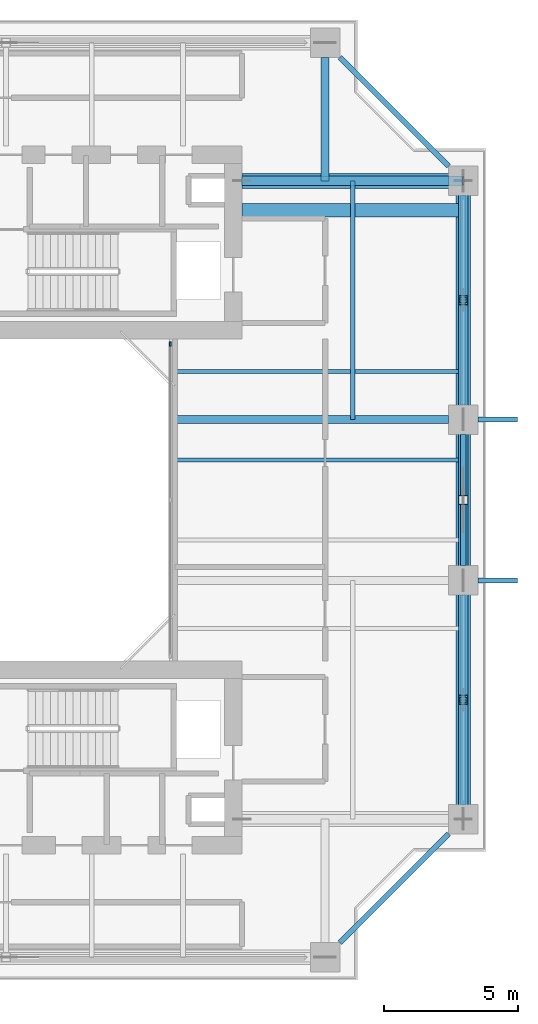
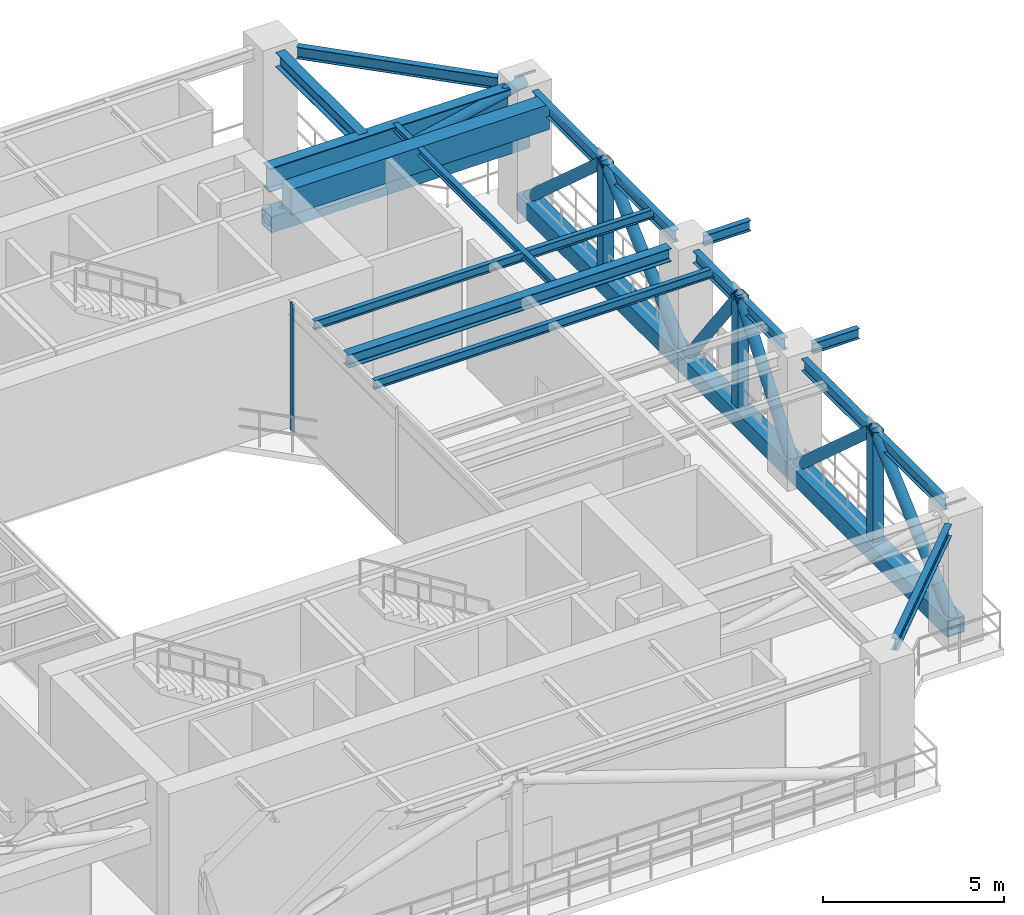
# One storey, part 4 of 11: 15 members, 14 beams, 1 element without a shape of its own.
"""IFC4 building model written with IfcOpenShell, lengths in metres."""

from ifc_helpers import new_model, si_unit, direction, frame, origin, origin_2d, place, context, subcontext, project, spatial, rectangle, hollow_rectangle, hollow_circle, i_section, extrude, source, transform, mapped, material, layer, layer_set, material_profile, profile_set, type_object, element, aggregate, save


model = new_model("IFC4")

# Units and contexts
model_context = context("Model", 3, precision=1e-05, world=origin(), true_north=direction((0.0, 1.0)))
body_context = subcontext(model_context, "Body", "Model", "MODEL_VIEW")
ifc_project = project(units=[si_unit("LENGTHUNIT", "METRE"), si_unit("AREAUNIT", "SQUARE_METRE"), si_unit("VOLUMEUNIT", "CUBIC_METRE"), si_unit("PLANEANGLEUNIT", "RADIAN"), si_unit("MASSUNIT", "GRAM", prefix="KILO"), si_unit("THERMODYNAMICTEMPERATUREUNIT", "KELVIN"), si_unit("POWERUNIT", "WATT")], contexts=[model_context])

# Site, building, storey
site_placement = place(None, origin())
site = spatial("IfcSite", under=ifc_project, at=site_placement, CompositionType="ELEMENT")
building_placement = place(site_placement, origin())
building = spatial("IfcBuilding", under=site, at=building_placement, Name="Qiaomeng Ring Towers", CompositionType="ELEMENT")
storey_placement = place(building_placement, frame((0.0, 0.0, 139.25)))
storey = spatial("IfcBuildingStorey", under=building, at=storey_placement, Name="L40", CompositionType="ELEMENT", Elevation=139.25)

# Members
ifc_material_1 = material(Name="Steel Q390GJC", Category="steel")
ifc_material_profile_1 = material_profile(ifc_material_1, hollow_rectangle(XDim=0.35009765625, YDim=0.35009765625, WallThickness=0.02001953125, at=origin_2d()), Name="SHS 350x350x20")
ifc_profile_set_1 = profile_set([ifc_material_profile_1], Name="Steel Q390GJC")
member_type_1 = type_object("IfcMemberType", Name="STR-MB-POST-350", PredefinedType="POST", material=ifc_profile_set_1)
shared_shape_1 = source(origin(), body_context, "Body", "SweptSolid", [
    extrude(hollow_rectangle(XDim=0.35009765625, YDim=0.35009765625, WallThickness=0.02001953125, at=origin_2d()), origin(), (0.0, 0.0, 1.0), 4.0),
])
for number, where, z_axis, x_axis, name in (
    (1, (36.050048828125, 15.550048828125, 0.320068359375), (0.0, 0.0, 1.0), (1.0, 0.0, 0.0), "L40 Belt Truss Post E1-E2"),
    (2, (36.050048828125, 23.0, 0.320068359375), (0.0, 0.0, 1.0), (1.0, 0.0, 0.0), "L40 Belt Truss Post E2-E3"),
    (3, (36.050048828125, 30.449951171875, 0.320068359375), (0.0, 0.0, 1.0), (1.0, 0.0, 0.0), "L40 Belt Truss Post E3-E4"),
):
    element("IfcMember", number, at=place(storey_placement, frame(where, z_axis=z_axis, x_axis=x_axis)), inside=storey, type_object=member_type_1, Name=name, PredefinedType="POST", context=body_context, shape_type="MappedRepresentation", body=[
        mapped(shared_shape_1, transform((0.0, 0.0, 0.0), x_axis=(1.0, 0.0, 0.0), y_axis=(0.0, 1.0, 0.0), z_axis=(0.0, 0.0, 1.0), scale=1.0)),
    ])
ifc_material_profile_2 = material_profile(ifc_material_1, hollow_rectangle(XDim=0.550048828125, YDim=0.550048828125, WallThickness=0.031982421875, at=origin_2d()), Name="SHS 550x550x32")
ifc_profile_set_2 = profile_set([ifc_material_profile_2], Name="Steel Q390GJC")
member_type_2 = type_object("IfcMemberType", Name="STR-MB-CHORD-550", PredefinedType="CHORD", material=ifc_profile_set_2)
shared_shape_2 = source(origin(), body_context, "Body", "SweptSolid", [
    extrude(hollow_rectangle(XDim=0.550048828125, YDim=0.550048828125, WallThickness=0.031982421875, at=origin_2d()), origin(), (0.0, 0.0, 1.0), 6.0),
])
member_1_placement = place(storey_placement, frame((36.050048828125, 20.0, 0.320068359375), z_axis=(0.0, 1.0, 0.0), x_axis=(-1.0, 0.0, 0.0)))
element("IfcMember", 4, at=member_1_placement, inside=storey, type_object=member_type_2, Name="L40 Belt Truss Bottom Chord E2-E3", PredefinedType="CHORD", context=body_context, shape_type="MappedRepresentation", body=[
    mapped(shared_shape_2, transform((0.0, 0.0, 0.0), x_axis=(1.0, 0.0, 0.0), y_axis=(0.0, 1.0, 0.0), z_axis=(0.0, 0.0, 1.0), scale=1.0)),
])

# Beams
ifc_material_2 = material(Name="Steel Q355B", Category="steel")
ifc_material_profile_3 = material_profile(ifc_material_2, i_section(OverallWidth=0.175048828125, OverallDepth=0.35009765625, WebThickness=0.007080078125, FlangeThickness=0.010986328125, FilletRadius=0.013916015625, at=origin_2d()), Name="HN 350x175x7x11")
ifc_profile_set_3 = profile_set([ifc_material_profile_3], Name="Steel Q355B")
beam_type_1 = type_object("IfcBeamType", Name="STR-BM-HN350", PredefinedType="JOIST", material=ifc_profile_set_3)
shared_shape_3 = source(origin(), body_context, "Body", "SweptSolid", [
    extrude(i_section(OverallWidth=0.175048828125, OverallDepth=0.35009765625, WebThickness=0.007080078125, FlangeThickness=0.010986328125, FilletRadius=0.013916015625, at=origin_2d()), origin(), (0.0, 0.0, 1.0), 1.48095703125),
])
for number, where, z_axis, x_axis, name in (
    (5, (36.59912109375, 20.0, 4.14501953125), (1.0, 0.0, 0.0), (0.0, 1.0, 0.0), "L40 beam STR-BALBM-L40-E2"),
    (6, (36.59912109375, 26.0, 4.14501953125), (1.0, 0.0, 0.0), (0.0, 1.0, 0.0), "L40 beam STR-BALBM-L40-E3"),
):
    element("IfcBeam", number, at=place(storey_placement, frame(where, z_axis=z_axis, x_axis=x_axis)), inside=storey, type_object=beam_type_1, Name=name, PredefinedType="JOIST", context=body_context, shape_type="MappedRepresentation", body=[
        mapped(shared_shape_3, transform((0.0, 0.0, 0.0), x_axis=(1.0, 0.0, 0.0), y_axis=(0.0, 1.0, 0.0), z_axis=(0.0, 0.0, 1.0), scale=1.0)),
    ])
ifc_material_profile_4 = material_profile(ifc_material_2, i_section(OverallWidth=0.199951171875, OverallDepth=0.39990234375, WebThickness=0.008056640625, FlangeThickness=0.012939453125, FilletRadius=0.01611328125, at=origin_2d()), Name="HN 400x200x8x13")
ifc_profile_set_4 = profile_set([ifc_material_profile_4], Name="Steel Q355B")
beam_type_2 = type_object("IfcBeamType", Name="STR-BM-HN400", PredefinedType="SPANDREL", material=ifc_profile_set_4)
shared_shape_4 = source(origin(), body_context, "Body", "SweptSolid", [
    extrude(i_section(OverallWidth=0.199951171875, OverallDepth=0.39990234375, WebThickness=0.008056640625, FlangeThickness=0.012939453125, FilletRadius=0.01611328125, at=origin_2d()), origin(), (0.0, 0.0, 1.0), 5.729736328125),
])
for number, where, z_axis, x_axis, name in (
    (7, (31.44921875, 6.499267578125, 4.1201171875), (0.707106781187, 0.707106781187, 0.0), (-0.707106781187, 0.707106781187, 0.0), "L40 beam STR-SP-L40-T1-S2-E1"),
    (8, (35.500732421875, 35.44921875, 4.1201171875), (-0.707106781187, 0.707106781187, 0.0), (-0.707106781187, -0.707106781187, 0.0), "L40 beam STR-SP-L40-T1-E4-N2"),
):
    element("IfcBeam", number, at=place(storey_placement, frame(where, z_axis=z_axis, x_axis=x_axis)), inside=storey, type_object=beam_type_2, Name=name, PredefinedType="SPANDREL", context=body_context, shape_type="MappedRepresentation", body=[
        mapped(shared_shape_4, transform((0.0, 0.0, 0.0), x_axis=(1.0, 0.0, 0.0), y_axis=(0.0, 1.0, 0.0), z_axis=(0.0, 0.0, 1.0), scale=1.0)),
    ])
shared_shape_5 = source(origin(), body_context, "Body", "SweptSolid", [
    extrude(i_section(OverallWidth=0.199951171875, OverallDepth=0.39990234375, WebThickness=0.008056640625, FlangeThickness=0.012939453125, FilletRadius=0.01611328125, at=origin_2d()), origin(), (0.0, 0.0, 1.0), 7.802001953125),
])
for number, where, z_axis, x_axis, name in (
    (9, (36.050048828125, 11.64892578125, 4.1201171875), (0.0, 1.0, 0.0), (-1.0, 0.0, 0.0), "L40 beam STR-SP-L40-T1-E1-E2"),
    (10, (36.050048828125, 26.549072265625, 4.1201171875), (0.0, 1.0, 0.0), (-1.0, 0.0, 0.0), "L40 beam STR-SP-L40-T1-E3-E4"),
):
    element("IfcBeam", number, at=place(storey_placement, frame(where, z_axis=z_axis, x_axis=x_axis)), inside=storey, type_object=beam_type_2, Name=name, PredefinedType="SPANDREL", context=body_context, shape_type="MappedRepresentation", body=[
        mapped(shared_shape_5, transform((0.0, 0.0, 0.0), x_axis=(1.0, 0.0, 0.0), y_axis=(0.0, 1.0, 0.0), z_axis=(0.0, 0.0, 1.0), scale=1.0)),
    ])
shared_shape_6 = source(origin(), body_context, "Body", "SweptSolid", [
    extrude(i_section(OverallWidth=0.199951171875, OverallDepth=0.39990234375, WebThickness=0.008056640625, FlangeThickness=0.012939453125, FilletRadius=0.01611328125, at=origin_2d()), origin(), (0.0, 0.0, 1.0), 4.90185546875),
])
beam_1_placement = place(storey_placement, frame((36.050048828125, 20.549072265625, 4.1201171875), z_axis=(0.0, 1.0, 0.0), x_axis=(-1.0, 0.0, 0.0)))
element("IfcBeam", 11, at=beam_1_placement, inside=storey, type_object=beam_type_2, Name="L40 beam STR-SP-L40-T1-E2-E3", PredefinedType="SPANDREL", context=body_context, shape_type="MappedRepresentation", body=[
    mapped(shared_shape_6, transform((0.0, 0.0, 0.0), x_axis=(1.0, 0.0, 0.0), y_axis=(0.0, 1.0, 0.0), z_axis=(0.0, 0.0, 1.0), scale=1.0)),
])
ifc_material_profile_5 = material_profile(ifc_material_1, i_section(OverallWidth=0.35009765625, OverallDepth=0.800048828125, WebThickness=0.01611328125, FlangeThickness=0.028076171875, at=origin_2d()), Name="WH 800x350x16x28")
ifc_profile_set_5 = profile_set([ifc_material_profile_5], Name="Steel Q390GJC")
beam_type_3 = type_object("IfcBeamType", Name="STR-BM-WH800", PredefinedType="BEAM", material=ifc_profile_set_5)
shared_shape_7 = source(origin(), body_context, "Body", "SweptSolid", [
    extrude(i_section(OverallWidth=0.35009765625, OverallDepth=0.800048828125, WebThickness=0.01611328125, FlangeThickness=0.028076171875, at=origin_2d()), origin(), (0.0, 0.0, 1.0), 7.700927734375),
])
beam_2_placement = place(storey_placement, frame((27.800048828125, 34.89990234375, 3.919921875), z_axis=(1.0, 0.0, 0.0), x_axis=(0.0, 1.0, 0.0)))
element("IfcBeam", 12, at=beam_2_placement, inside=storey, type_object=beam_type_3, Name="L40 beam STR-BM-L40-T1-RAD-E4", PredefinedType="BEAM", context=body_context, shape_type="MappedRepresentation", body=[
    mapped(shared_shape_7, transform((0.0, 0.0, 0.0), x_axis=(1.0, 0.0, 0.0), y_axis=(0.0, 1.0, 0.0), z_axis=(0.0, 0.0, 1.0), scale=1.0)),
])
ifc_material_profile_6 = material_profile(ifc_material_2, i_section(OverallWidth=0.300048828125, OverallDepth=0.488037109375, WebThickness=0.010986328125, FlangeThickness=0.01806640625, FilletRadius=0.02587890625, at=origin_2d()), Name="HM 488x300x11x18")
ifc_profile_set_6 = profile_set([ifc_material_profile_6], Name="Steel Q355B")
beam_type_4 = type_object("IfcBeamType", Name="STR-BM-HM488", PredefinedType="BEAM", material=ifc_profile_set_6)
shared_shape_8 = source(origin(), body_context, "Body", "SweptSolid", [
    extrude(i_section(OverallWidth=0.300048828125, OverallDepth=0.488037109375, WebThickness=0.010986328125, FlangeThickness=0.01806640625, FilletRadius=0.02587890625, at=origin_2d()), origin(), (0.0, 0.0, 1.0), 4.60107421875),
])
beam_3_placement = place(storey_placement, frame((30.89990234375, 39.5009765625, 4.075927734375), z_axis=(0.0, -1.0, 0.0), x_axis=(1.0, 0.0, 0.0)))
element("IfcBeam", 13, at=beam_3_placement, inside=storey, type_object=beam_type_4, Name="L40 beam STR-BM-L40-T1-RAD-N2", PredefinedType="BEAM", context=body_context, shape_type="MappedRepresentation", body=[
    mapped(shared_shape_8, transform((0.0, 0.0, 0.0), x_axis=(1.0, 0.0, 0.0), y_axis=(0.0, 1.0, 0.0), z_axis=(0.0, 0.0, 1.0), scale=1.0)),
])
ifc_material_profile_7 = material_profile(ifc_material_2, i_section(OverallWidth=0.300048828125, OverallDepth=0.43994140625, WebThickness=0.010986328125, FlangeThickness=0.01806640625, FilletRadius=0.02392578125, at=origin_2d()), Name="HM 440x300x11x18")
ifc_profile_set_7 = profile_set([ifc_material_profile_7], Name="Steel Q355B")
beam_type_5 = type_object("IfcBeamType", Name="STR-BM-HM440", PredefinedType="BEAM", material=ifc_profile_set_7)
shared_shape_9 = source(origin(), body_context, "Body", "SweptSolid", [
    extrude(i_section(OverallWidth=0.300048828125, OverallDepth=0.43994140625, WebThickness=0.010986328125, FlangeThickness=0.01806640625, FilletRadius=0.02392578125, at=origin_2d()), origin(), (0.0, 0.0, 1.0), 10.301025390625),
])
beam_4_placement = place(storey_placement, frame((25.199951171875, 26.0, 4.10009765625), z_axis=(1.0, 0.0, 0.0), x_axis=(0.0, 1.0, 0.0)))
element("IfcBeam", 14, at=beam_4_placement, inside=storey, type_object=beam_type_5, Name="L40 beam STR-BM-L40-T1-RAD-E3", PredefinedType="BEAM", context=body_context, shape_type="MappedRepresentation", body=[
    mapped(shared_shape_9, transform((0.0, 0.0, 0.0), x_axis=(1.0, 0.0, 0.0), y_axis=(0.0, 1.0, 0.0), z_axis=(0.0, 0.0, 1.0), scale=1.0)),
])
ifc_material_profile_8 = material_profile(ifc_material_2, i_section(OverallWidth=0.14990234375, OverallDepth=0.300048828125, WebThickness=0.006591796875, FlangeThickness=0.009033203125, FilletRadius=0.012939453125, at=origin_2d()), Name="HN 300x150x6.5x9")
ifc_profile_set_8 = profile_set([ifc_material_profile_8], Name="Steel Q355B")
beam_type_6 = type_object("IfcBeamType", Name="STR-BM-HN300", PredefinedType="JOIST", material=ifc_profile_set_8)
shared_shape_10 = source(origin(), body_context, "Body", "SweptSolid", [
    extrude(i_section(OverallWidth=0.14990234375, OverallDepth=0.300048828125, WebThickness=0.006591796875, FlangeThickness=0.009033203125, FilletRadius=0.012939453125, at=origin_2d()), origin(), (0.0, 0.0, 1.0), 10.85009765625),
])
for number, where, z_axis, x_axis, name in (
    (15, (25.199951171875, 24.5, 4.169921875), (1.0, 0.0, 0.0), (0.0, 1.0, 0.0), "L40 beam STR-JST-L40-T1E-3"),
    (16, (25.199951171875, 27.800048828125, 4.169921875), (1.0, 0.0, 0.0), (0.0, 1.0, 0.0), "L40 beam STR-JST-L40-T1E-4"),
):
    element("IfcBeam", number, at=place(storey_placement, frame(where, z_axis=z_axis, x_axis=x_axis)), inside=storey, type_object=beam_type_6, Name=name, PredefinedType="JOIST", context=body_context, shape_type="MappedRepresentation", body=[
        mapped(shared_shape_10, transform((0.0, 0.0, 0.0), x_axis=(1.0, 0.0, 0.0), y_axis=(0.0, 1.0, 0.0), z_axis=(0.0, 0.0, 1.0), scale=1.0)),
    ])
ifc_material_profile_9 = material_profile(ifc_material_2, i_section(OverallWidth=0.175048828125, OverallDepth=0.243896484375, WebThickness=0.007080078125, FlangeThickness=0.010986328125, FilletRadius=0.01611328125, at=origin_2d()), Name="HM 244x175x7x11")
ifc_profile_set_9 = profile_set([ifc_material_profile_9], Name="Steel Q355B")
beam_type_7 = type_object("IfcBeamType", Name="STR-BM-HM244", PredefinedType="JOIST", material=ifc_profile_set_9)
shared_shape_11 = source(origin(), body_context, "Body", "SweptSolid", [
    extrude(i_section(OverallWidth=0.175048828125, OverallDepth=0.243896484375, WebThickness=0.007080078125, FlangeThickness=0.010986328125, FilletRadius=0.01611328125, at=origin_2d()), origin(), (0.0, 0.0, 1.0), 8.89990234375),
])
beam_5_placement = place(storey_placement, frame((31.925048828125, 26.0, 4.197998046875), z_axis=(0.0, 1.0, 0.0), x_axis=(-1.0, 0.0, 0.0)))
element("IfcBeam", 17, at=beam_5_placement, inside=storey, type_object=beam_type_7, Name="L40 beam STR-JST-L40-T1C-EN", PredefinedType="JOIST", context=body_context, shape_type="MappedRepresentation", body=[
    mapped(shared_shape_11, transform((0.0, 0.0, 0.0), x_axis=(1.0, 0.0, 0.0), y_axis=(0.0, 1.0, 0.0), z_axis=(0.0, 0.0, 1.0), scale=1.0)),
])
ifc_material_3 = material(Name="Concrete C50", Category="concrete")
ifc_material_profile_10 = material_profile(ifc_material_3, rectangle(XDim=0.5, YDim=0.85009765625, at=origin_2d()), Name="RC BM 500x850")
ifc_profile_set_10 = profile_set([ifc_material_profile_10], Name="Concrete C50")
beam_type_8 = type_object("IfcBeamType", Name="STR-BM-RC850", PredefinedType="LINTEL", material=ifc_profile_set_10)
shared_shape_12 = source(origin(), body_context, "Body", "SweptSolid", [
    extrude(rectangle(XDim=0.5, YDim=0.85009765625, at=origin_2d()), origin(), (0.0, 0.0, 1.0), 8.25),
])
beam_6_placement = place(storey_placement, frame((27.800048828125, 33.800048828125, 3.89501953125), z_axis=(1.0, 0.0, 0.0), x_axis=(0.0, 1.0, 0.0)))
element("IfcBeam", 18, at=beam_6_placement, inside=storey, type_object=beam_type_8, Name="L40 beam STR-CB-L40-T1N", PredefinedType="LINTEL", context=body_context, shape_type="MappedRepresentation", body=[
    mapped(shared_shape_12, transform((0.0, 0.0, 0.0), x_axis=(1.0, 0.0, 0.0), y_axis=(0.0, 1.0, 0.0), z_axis=(0.0, 0.0, 1.0), scale=1.0)),
])

# Members
shared_shape_13 = source(origin(), body_context, "Body", "SweptSolid", [
    extrude(hollow_rectangle(XDim=0.550048828125, YDim=0.550048828125, WallThickness=0.031982421875, at=origin_2d()), origin(), (0.0, 0.0, 1.0), 8.89990234375),
])
for number, where, z_axis, x_axis, name in (
    (19, (36.050048828125, 11.10009765625, 0.320068359375), (0.0, 1.0, 0.0), (-1.0, 0.0, 0.0), "L40 Belt Truss Bottom Chord E1-E2"),
    (20, (36.050048828125, 26.0, 0.320068359375), (0.0, 1.0, 0.0), (-1.0, 0.0, 0.0), "L40 Belt Truss Bottom Chord E3-E4"),
):
    element("IfcMember", number, at=place(storey_placement, frame(where, z_axis=z_axis, x_axis=x_axis)), inside=storey, type_object=member_type_2, Name=name, PredefinedType="CHORD", context=body_context, shape_type="MappedRepresentation", body=[
        mapped(shared_shape_13, transform((0.0, 0.0, 0.0), x_axis=(1.0, 0.0, 0.0), y_axis=(0.0, 1.0, 0.0), z_axis=(0.0, 0.0, 1.0), scale=1.0)),
    ])
ifc_material_profile_11 = material_profile(ifc_material_1, hollow_circle(Radius=0.177978515625, WallThickness=0.02001953125, at=origin_2d()), Name="CHS 356x20")
ifc_profile_set_11 = profile_set([ifc_material_profile_11], Name="Steel Q390GJC")
member_type_3 = type_object("IfcMemberType", Name="STR-MB-BR-356", PredefinedType="BRACE", material=ifc_profile_set_11)
shared_shape_14 = source(origin(), body_context, "Body", "SweptSolid", [
    extrude(hollow_circle(Radius=0.177978515625, WallThickness=0.02001953125, at=origin_2d()), origin(), (0.0, 0.0, 1.0), 5.97021484375),
])
for number, where, z_axis, x_axis, name in (
    (21, (36.050048828125, 11.10009765625, 0.320068359375), (0.0, 0.745370712537, 0.666650208799), (-1.0, 0.0, 0.0), "L40 Belt Truss Diagonal E1-M"),
    (22, (36.050048828125, 20.0, 0.320068359375), (0.0, -0.745370712537, 0.666650208799), (1.0, 0.0, 0.0), "L40 Belt Truss Diagonal E2-M"),
    (23, (36.050048828125, 26.0, 0.320068359375), (0.0, 0.745370712537, 0.666650208799), (-1.0, 0.0, 0.0), "L40 Belt Truss Diagonal E3-M"),
    (24, (36.050048828125, 34.89990234375, 0.320068359375), (0.0, -0.745370712537, 0.666650208799), (1.0, 0.0, 0.0), "L40 Belt Truss Diagonal E4-M"),
):
    element("IfcMember", number, at=place(storey_placement, frame(where, z_axis=z_axis, x_axis=x_axis)), inside=storey, type_object=member_type_3, Name=name, PredefinedType="BRACE", context=body_context, shape_type="MappedRepresentation", body=[
        mapped(shared_shape_14, transform((0.0, 0.0, 0.0), x_axis=(1.0, 0.0, 0.0), y_axis=(0.0, 1.0, 0.0), z_axis=(0.0, 0.0, 1.0), scale=1.0)),
    ])
shared_shape_15 = source(origin(), body_context, "Body", "SweptSolid", [
    extrude(hollow_circle(Radius=0.177978515625, WallThickness=0.02001953125, at=origin_2d()), origin(), (0.0, 0.0, 1.0), 4.98388671875),
])
for number, where, z_axis, x_axis, name in (
    (25, (36.050048828125, 20.0, 0.320068359375), (0.0, 0.601926302674, 0.798551642757), (-1.0, 0.0, 0.0), "L40 Belt Truss Diagonal E2-M"),
    (26, (36.050048828125, 26.0, 0.320068359375), (0.0, -0.601926302674, 0.798551642757), (1.0, 0.0, 0.0), "L40 Belt Truss Diagonal E3-M"),
):
    element("IfcMember", number, at=place(storey_placement, frame(where, z_axis=z_axis, x_axis=x_axis)), inside=storey, type_object=member_type_3, Name=name, PredefinedType="BRACE", context=body_context, shape_type="MappedRepresentation", body=[
        mapped(shared_shape_15, transform((0.0, 0.0, 0.0), x_axis=(1.0, 0.0, 0.0), y_axis=(0.0, 1.0, 0.0), z_axis=(0.0, 0.0, 1.0), scale=1.0)),
    ])
shared_shape_16 = source(origin(), body_context, "Body", "SweptSolid", [
    extrude(hollow_rectangle(XDim=0.550048828125, YDim=0.550048828125, WallThickness=0.031982421875, at=origin_2d()), origin(), (0.0, 0.0, 1.0), 8.25),
])
member_2_placement = place(storey_placement, frame((27.800048828125, 34.89990234375, 2.47998046875), z_axis=(1.0, 0.0, 0.0), x_axis=(0.0, 1.0, 0.0)))
element("IfcMember", 27, at=member_2_placement, inside=storey, type_object=member_type_2, Name="L40 Core Outrigger Truss Bottom Chord E4", PredefinedType="CHORD", context=body_context, shape_type="MappedRepresentation", body=[
    mapped(shared_shape_16, transform((0.0, 0.0, 0.0), x_axis=(1.0, 0.0, 0.0), y_axis=(0.0, 1.0, 0.0), z_axis=(0.0, 0.0, 1.0), scale=1.0)),
])
shared_shape_17 = source(origin(), body_context, "Body", "SweptSolid", [
    extrude(hollow_circle(Radius=0.177978515625, WallThickness=0.02001953125, at=origin_2d()), origin(), (0.0, 0.0, 1.0), 8.448486328125),
])
member_3_placement = place(storey_placement, frame((27.800048828125, 34.89990234375, 2.47998046875), z_axis=(0.976518409555, 0.0, 0.215433970858), x_axis=(0.0, 1.0, 0.0)))
element("IfcMember", 28, at=member_3_placement, inside=storey, type_object=member_type_3, Name="L40 Core Outrigger Truss Diagonal E4", PredefinedType="BRACE", context=body_context, shape_type="MappedRepresentation", body=[
    mapped(shared_shape_17, transform((0.0, 0.0, 0.0), x_axis=(1.0, 0.0, 0.0), y_axis=(0.0, 1.0, 0.0), z_axis=(0.0, 0.0, 1.0), scale=1.0)),
])

# Curtain wall, member
ifc_material_4 = material(Name="Fluorocarbon dark-grey aluminium", Category="aluminium")
ifc_layer = layer(ifc_material_4, 0.139892578125, Name="Fluorocarbon dark-grey aluminium")
ifc_layer_set = layer_set([ifc_layer], Name="Fluorocarbon dark-grey aluminium")
curtain_wall_type = type_object("IfcCurtainWallType", Name="ARC-CW-4", PredefinedType="NOTDEFINED", material=ifc_layer_set)
curtain_wall_placement = place(storey_placement, origin())
curtain_wall = element("IfcCurtainWall", 29, at=curtain_wall_placement, inside=storey, type_object=curtain_wall_type, Name="L40 Curtain Wall CW4", PredefinedType="NOTDEFINED")
ifc_material_profile_12 = material_profile(ifc_material_4, rectangle(XDim=0.06494140625, YDim=0.159912109375, at=origin_2d()), Name="ALU MULL 65x160")
ifc_profile_set_12 = profile_set([ifc_material_profile_12], Name="Fluorocarbon dark-grey aluminium")
member_type_4 = type_object("IfcMemberType", Name="ARC-CWM-140", PredefinedType="MULLION", material=ifc_profile_set_12)
shared_shape_18 = source(origin(), body_context, "Body", "SweptSolid", [
    extrude(rectangle(XDim=0.06494140625, YDim=0.159912109375, at=origin_2d()), origin(), (0.0, 0.0, 1.0), 4.320068359375),
])
member_4_placement = place(storey_placement, frame((25.1201171875, 28.8173828125, 0.0), z_axis=(0.0, 0.0, 1.0), x_axis=(-1.0, 0.0, 0.0)))
member_4 = element("IfcMember", 30, at=member_4_placement, type_object=member_type_4, Name="CW4 mullion 3", PredefinedType="MULLION", context=body_context, shape_type="MappedRepresentation", body=[
    mapped(shared_shape_18, transform((0.0, 0.0, 0.0), x_axis=(1.0, 0.0, 0.0), y_axis=(0.0, 1.0, 0.0), z_axis=(0.0, 0.0, 1.0), scale=1.0)),
])
aggregate(curtain_wall, [member_4])

save(model, "model.ifc")
